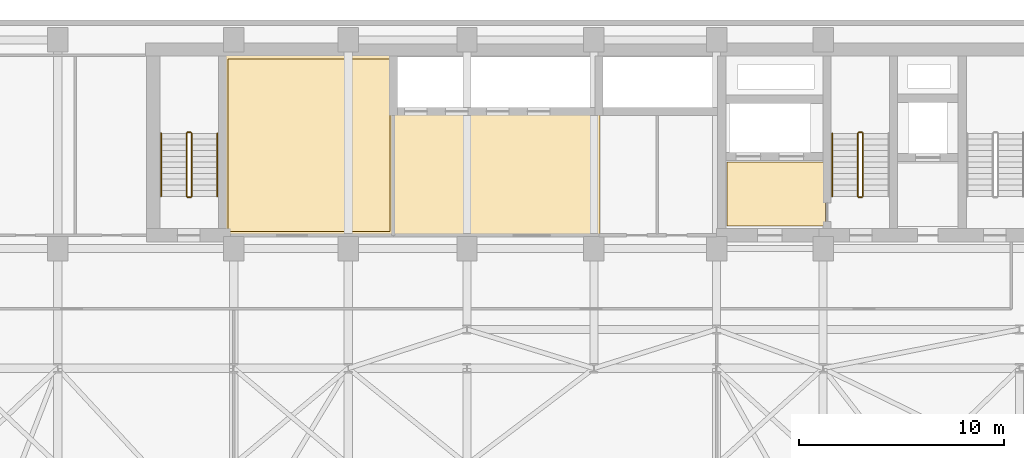
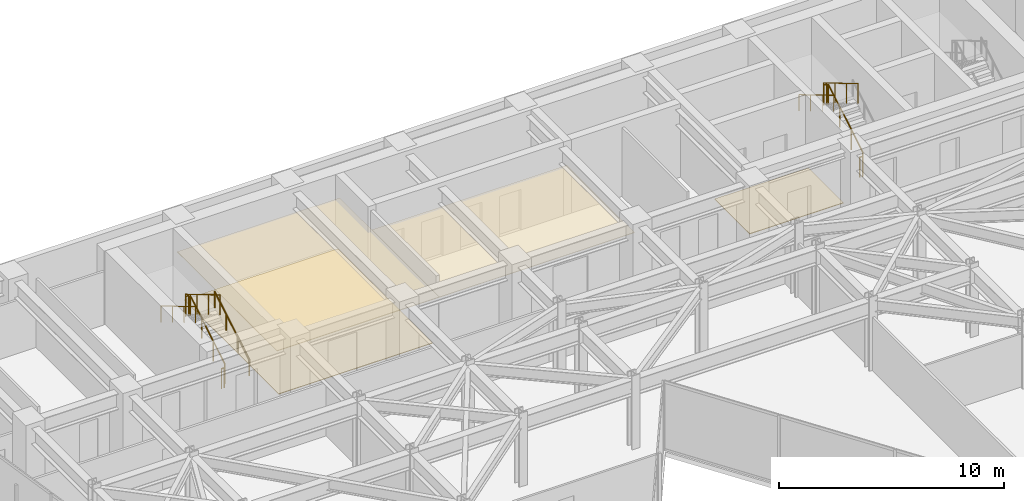
# One storey, part 25 of 26: 11 railings, 4 coverings.
"""IFC4 building model written with IfcOpenShell, lengths in metres."""

from ifc_helpers import new_model, si_unit, direction, frame, origin, origin_2d, place, context, subcontext, project, spatial, polyline, circle, outline, extrude, material, layer, layer_set, type_object, element, save


model = new_model("IFC4")

# Units and contexts
model_context = context("Model", 3, precision=1e-05, world=origin(), true_north=direction((0.0, 1.0)))
body_context = subcontext(model_context, "Body", "Model", "MODEL_VIEW")
ifc_project = project(units=[si_unit("LENGTHUNIT", "METRE"), si_unit("AREAUNIT", "SQUARE_METRE"), si_unit("VOLUMEUNIT", "CUBIC_METRE"), si_unit("PLANEANGLEUNIT", "RADIAN"), si_unit("MASSUNIT", "GRAM", prefix="KILO")], contexts=[model_context])

# Site, building, storey
site_placement = place(None, origin())
site = spatial("IfcSite", under=ifc_project, at=site_placement, CompositionType="ELEMENT")
building_placement = place(site_placement, origin())
building = spatial("IfcBuilding", under=site, at=building_placement, Name="Kravanh Interchange Tower", CompositionType="ELEMENT")
storey_placement = place(building_placement, frame((0.0, 0.0, 148.0)))
storey = spatial("IfcBuildingStorey", under=building, at=storey_placement, Name="L35", CompositionType="ELEMENT", Elevation=148.0)

# Coverings
ifc_material_1 = material(Name="Cementitious Terrazzo Tile")
ifc_layer_1 = layer(ifc_material_1, 0.030029296875)
ifc_layer_set_1 = layer_set([ifc_layer_1], Name="Honed Terrazzo Lobby Flooring 30mm")
covering_type_1 = type_object("IfcCoveringType", Name="Honed Terrazzo Lobby Flooring 30mm", PredefinedType="FLOORING", material=ifc_layer_set_1)
covering_1_placement = place(storey_placement, origin())
element("IfcCovering", 1, at=covering_1_placement, inside=storey, type_object=covering_type_1, Name="L35 Firefighting Lobby Floor Finish", PredefinedType="FLOORING", context=body_context, shape_type="SweptSolid", body=[
    extrude(outline(polyline([(56.1201171875, 38.4599609375), (51.300048828125, 38.4599609375), (51.300048828125, 41.580078125), (56.1201171875, 41.580078125), (56.1201171875, 38.4599609375)])), origin(), (0.0, 0.0, 1.0), 0.030029296875),
])
covering_2_placement = place(storey_placement, origin())
element("IfcCovering", 2, at=covering_2_placement, inside=storey, type_object=covering_type_1, Name="L35 Tenant Wellness and Prayer Suite Floor Finish", PredefinedType="FLOORING", context=body_context, shape_type="SweptSolid", body=[
    extrude(outline(polyline([(26.929931640625, 46.6201171875), (34.840087890625, 46.6201171875), (34.840087890625, 38.179931640625), (26.929931640625, 38.179931640625), (26.929931640625, 46.6201171875)])), origin(), (0.0, 0.0, 1.0), 0.030029296875),
])
ifc_material_2 = material(Name="Anodised Bronze Aluminium Acoustic Baffle", Category="aluminium")
ifc_layer_2 = layer(ifc_material_2, 0.034912109375)
ifc_layer_set_2 = layer_set([ifc_layer_2], Name="Linear Bronze Baffle Feature Ceiling 35mm")
covering_type_2 = type_object("IfcCoveringType", Name="Linear Bronze Baffle Feature Ceiling 35mm", PredefinedType="CEILING", material=ifc_layer_set_2)
covering_3_placement = place(storey_placement, frame((0.0, 0.0, 2.550048828125)))
element("IfcCovering", 3, at=covering_3_placement, inside=storey, type_object=covering_type_2, Name="L35 Tenant Wellness and Prayer Suite Suspended Ceiling", PredefinedType="CEILING", context=body_context, shape_type="SweptSolid", body=[
    extrude(outline(polyline([(35.06005859375, 37.9599609375), (26.7099609375, 37.9599609375), (26.7099609375, 46.840087890625), (35.06005859375, 46.840087890625), (35.06005859375, 37.9599609375)])), origin(), (0.0, 0.0, 1.0), 0.034912109375),
])
ifc_material_3 = material(Name="Acoustic Mineral Fibre Tile on Aluminium Grid", Category="aluminium")
ifc_layer_3 = layer(ifc_material_3, 0.02490234375)
ifc_layer_set_3 = layer_set([ifc_layer_3], Name="Perforated Acoustic Mineral Ceiling 25mm")
covering_type_3 = type_object("IfcCoveringType", Name="Perforated Acoustic Mineral Ceiling 25mm", PredefinedType="CEILING", material=ifc_layer_set_3)
covering_4_placement = place(storey_placement, frame((0.0, 0.0, 2.550048828125)))
element("IfcCovering", 4, at=covering_4_placement, inside=storey, type_object=covering_type_3, Name="L35 Mid-Rise Lift Lobby Suspended Ceiling", PredefinedType="CEILING", context=body_context, shape_type="SweptSolid", body=[
    extrude(outline(polyline([(45.090087890625, 37.9599609375), (34.93994140625, 37.9599609375), (34.93994140625, 43.989990234375), (45.090087890625, 43.989990234375), (45.090087890625, 37.9599609375)])), origin(), (0.0, 0.0, 1.0), 0.02490234375),
])

# Railings
ifc_material_4 = material(Name="Structural Steel S355", Category="steel")
ifc_layer_4 = layer(ifc_material_4, 0.050048828125)
ifc_layer_set_4 = layer_set([ifc_layer_4], Name="Stair Well Guardrail Structural Steel S355 1100mm")
railing_type_1 = type_object("IfcRailingType", Name="Stair Well Guardrail Structural Steel S355 1100mm", PredefinedType="GUARDRAIL", material=ifc_layer_set_4)
railing_1_placement = place(storey_placement, frame((57.949951171875, 39.89990234375, 0.166748046875)))
element("IfcRailing", 5, at=railing_1_placement, inside=storey, type_object=railing_type_1, Name="L35 ST2 stair guard 1", PredefinedType="GUARDRAIL", context=body_context, shape_type="SweptSolid", body=[
    extrude(circle(Radius=0.02392578125, at=origin_2d()), frame((0.0, 0.0, 1.076171875), z_axis=(0.0, 0.859308565015, 0.511457515432), x_axis=(-1.0, 0.0, 0.0)), (0.0, 0.0, 1.0), 3.58447265625),
    extrude(circle(Radius=0.02099609375, at=origin_2d()), origin(), (0.0, 0.0, 1.0), 1.052001953125),
    extrude(circle(Radius=0.02099609375, at=origin_2d()), frame((0.0, 1.026611328125, 0.611083984375)), (0.0, 0.0, 1.0), 1.052001953125),
    extrude(circle(Radius=0.02099609375, at=origin_2d()), frame((0.0, 2.053466796875, 1.22216796875)), (0.0, 0.0, 1.0), 1.052001953125),
    extrude(circle(Radius=0.02099609375, at=origin_2d()), frame((0.0, 3.080078125, 1.833251953125)), (0.0, 0.0, 1.0), 1.052001953125),
])
railing_2_placement = place(storey_placement, frame((57.89990234375, 43.030029296875, 2.0)))
element("IfcRailing", 6, at=railing_2_placement, inside=storey, type_object=railing_type_1, Name="L35 ST2 stair guard 2", PredefinedType="GUARDRAIL", context=body_context, shape_type="SweptSolid", body=[
    extrude(circle(Radius=0.02392578125, at=origin_2d()), frame((0.0, 0.0, 1.076171875), z_axis=(-1.0, 0.0, 0.0), x_axis=(0.0, -1.0, 0.0)), (0.0, 0.0, 1.0), 0.14990234375),
    extrude(circle(Radius=0.02099609375, at=origin_2d()), origin(), (0.0, 0.0, 1.0), 1.052001953125),
    extrude(circle(Radius=0.02099609375, at=origin_2d()), frame((-0.14990234375, 0.0, 0.0)), (0.0, 0.0, 1.0), 1.052001953125),
])
railing_3_placement = place(storey_placement, frame((57.699951171875, 42.97998046875, 2.166748046875)))
element("IfcRailing", 7, at=railing_3_placement, inside=storey, type_object=railing_type_1, Name="L35 ST2 stair guard 3", PredefinedType="GUARDRAIL", context=body_context, shape_type="SweptSolid", body=[
    extrude(circle(Radius=0.02392578125, at=origin_2d()), frame((0.0, 0.0, 1.076171875), z_axis=(0.0, -0.859308565015, 0.511457515432), x_axis=(1.0, 0.0, 0.0)), (0.0, 0.0, 1.0), 3.58447265625),
    extrude(circle(Radius=0.02099609375, at=origin_2d()), origin(), (0.0, 0.0, 1.0), 1.052001953125),
    extrude(circle(Radius=0.02099609375, at=origin_2d()), frame((0.0, -1.026611328125, 0.611083984375)), (0.0, 0.0, 1.0), 1.052001953125),
    extrude(circle(Radius=0.02099609375, at=origin_2d()), frame((0.0, -2.053466796875, 1.22216796875)), (0.0, 0.0, 1.0), 1.052001953125),
    extrude(circle(Radius=0.02099609375, at=origin_2d()), frame((0.0, -3.080078125, 1.833251953125)), (0.0, 0.0, 1.0), 1.052001953125),
])
railing_4_placement = place(storey_placement, frame((57.89990234375, 39.85009765625, 0.0)))
element("IfcRailing", 8, at=railing_4_placement, inside=storey, type_object=railing_type_1, Name="L35 ST2 stair guard 4", PredefinedType="GUARDRAIL", context=body_context, shape_type="SweptSolid", body=[
    extrude(circle(Radius=0.02392578125, at=origin_2d()), frame((0.0, 0.0, 1.076171875), z_axis=(-1.0, 0.0, 0.0), x_axis=(0.0, -1.0, 0.0)), (0.0, 0.0, 1.0), 0.14990234375),
    extrude(circle(Radius=0.02099609375, at=origin_2d()), origin(), (0.0, 0.0, 1.0), 1.052001953125),
    extrude(circle(Radius=0.02099609375, at=origin_2d()), frame((-0.14990234375, 0.0, 0.0)), (0.0, 0.0, 1.0), 1.052001953125),
])
railing_5_placement = place(storey_placement, frame((25.14990234375, 39.89990234375, 0.166748046875)))
element("IfcRailing", 9, at=railing_5_placement, inside=storey, type_object=railing_type_1, Name="L35 ST3 stair guard 1", PredefinedType="GUARDRAIL", context=body_context, shape_type="SweptSolid", body=[
    extrude(circle(Radius=0.02392578125, at=origin_2d()), frame((0.0, 0.0, 1.076171875), z_axis=(0.0, 0.859308565015, 0.511457515432), x_axis=(-1.0, 0.0, 0.0)), (0.0, 0.0, 1.0), 3.58447265625),
    extrude(circle(Radius=0.02099609375, at=origin_2d()), origin(), (0.0, 0.0, 1.0), 1.052001953125),
    extrude(circle(Radius=0.02099609375, at=origin_2d()), frame((0.0, 1.026611328125, 0.611083984375)), (0.0, 0.0, 1.0), 1.052001953125),
    extrude(circle(Radius=0.02099609375, at=origin_2d()), frame((0.0, 2.053466796875, 1.22216796875)), (0.0, 0.0, 1.0), 1.052001953125),
    extrude(circle(Radius=0.02099609375, at=origin_2d()), frame((0.0, 3.080078125, 1.833251953125)), (0.0, 0.0, 1.0), 1.052001953125),
])
railing_6_placement = place(storey_placement, frame((25.10009765625, 43.030029296875, 2.0)))
element("IfcRailing", 10, at=railing_6_placement, inside=storey, type_object=railing_type_1, Name="L35 ST3 stair guard 2", PredefinedType="GUARDRAIL", context=body_context, shape_type="SweptSolid", body=[
    extrude(circle(Radius=0.02392578125, at=origin_2d()), frame((0.0, 0.0, 1.076171875), z_axis=(-1.0, 0.0, 0.0), x_axis=(0.0, -1.0, 0.0)), (0.0, 0.0, 1.0), 0.150146484375),
    extrude(circle(Radius=0.02099609375, at=origin_2d()), origin(), (0.0, 0.0, 1.0), 1.052001953125),
    extrude(circle(Radius=0.02099609375, at=origin_2d()), frame((-0.150146484375, 0.0, 0.0)), (0.0, 0.0, 1.0), 1.052001953125),
])
railing_7_placement = place(storey_placement, frame((24.89990234375, 42.97998046875, 2.166748046875)))
element("IfcRailing", 11, at=railing_7_placement, inside=storey, type_object=railing_type_1, Name="L35 ST3 stair guard 3", PredefinedType="GUARDRAIL", context=body_context, shape_type="SweptSolid", body=[
    extrude(circle(Radius=0.02392578125, at=origin_2d()), frame((0.0, 0.0, 1.076171875), z_axis=(0.0, -0.859308565015, 0.511457515432), x_axis=(1.0, 0.0, 0.0)), (0.0, 0.0, 1.0), 3.58447265625),
    extrude(circle(Radius=0.02099609375, at=origin_2d()), origin(), (0.0, 0.0, 1.0), 1.052001953125),
    extrude(circle(Radius=0.02099609375, at=origin_2d()), frame((0.0, -1.026611328125, 0.611083984375)), (0.0, 0.0, 1.0), 1.052001953125),
    extrude(circle(Radius=0.02099609375, at=origin_2d()), frame((0.0, -2.053466796875, 1.22216796875)), (0.0, 0.0, 1.0), 1.052001953125),
    extrude(circle(Radius=0.02099609375, at=origin_2d()), frame((0.0, -3.080078125, 1.833251953125)), (0.0, 0.0, 1.0), 1.052001953125),
])
railing_8_placement = place(storey_placement, frame((25.10009765625, 39.85009765625, 0.0)))
element("IfcRailing", 12, at=railing_8_placement, inside=storey, type_object=railing_type_1, Name="L35 ST3 stair guard 4", PredefinedType="GUARDRAIL", context=body_context, shape_type="SweptSolid", body=[
    extrude(circle(Radius=0.02392578125, at=origin_2d()), frame((0.0, 0.0, 1.076171875), z_axis=(-1.0, 0.0, 0.0), x_axis=(0.0, -1.0, 0.0)), (0.0, 0.0, 1.0), 0.150146484375),
    extrude(circle(Radius=0.02099609375, at=origin_2d()), origin(), (0.0, 0.0, 1.0), 1.052001953125),
    extrude(circle(Radius=0.02099609375, at=origin_2d()), frame((-0.150146484375, 0.0, 0.0)), (0.0, 0.0, 1.0), 1.052001953125),
])
ifc_material_5 = material(Name="Stainless Steel 304", Category="steel")
ifc_layer_5 = layer(ifc_material_5, 0.044921875)
ifc_layer_set_5 = layer_set([ifc_layer_5], Name="Tubular Stair Handrail Stainless 304 900mm")
railing_type_2 = type_object("IfcRailingType", Name="Tubular Stair Handrail Stainless 304 900mm", PredefinedType="HANDRAIL", material=ifc_layer_set_5)
railing_9_placement = place(storey_placement, frame((56.449951171875, 42.97998046875, 2.166748046875)))
element("IfcRailing", 13, at=railing_9_placement, inside=storey, type_object=railing_type_2, Name="L35 ST2 stair handrail 2", PredefinedType="HANDRAIL", context=body_context, shape_type="SweptSolid", body=[
    extrude(circle(Radius=0.02392578125, at=origin_2d()), frame((0.0, 0.0, 0.8759765625), z_axis=(0.0, -0.859308565015, 0.511457515432), x_axis=(1.0, 0.0, 0.0)), (0.0, 0.0, 1.0), 3.58447265625),
    extrude(circle(Radius=0.02099609375, at=origin_2d()), origin(), (0.0, 0.0, 1.0), 0.851806640625),
    extrude(circle(Radius=0.02099609375, at=origin_2d()), frame((0.0, -1.026611328125, 0.611083984375)), (0.0, 0.0, 1.0), 0.851806640625),
    extrude(circle(Radius=0.02099609375, at=origin_2d()), frame((0.0, -2.053466796875, 1.22216796875)), (0.0, 0.0, 1.0), 0.851806640625),
    extrude(circle(Radius=0.02099609375, at=origin_2d()), frame((0.0, -3.080078125, 1.833251953125)), (0.0, 0.0, 1.0), 0.851806640625),
])
railing_10_placement = place(storey_placement, frame((26.39990234375, 39.89990234375, 0.166748046875)))
element("IfcRailing", 14, at=railing_10_placement, inside=storey, type_object=railing_type_2, Name="L35 ST3 stair handrail 1", PredefinedType="HANDRAIL", context=body_context, shape_type="SweptSolid", body=[
    extrude(circle(Radius=0.02392578125, at=origin_2d()), frame((0.0, 0.0, 0.8759765625), z_axis=(0.0, 0.859308565015, 0.511457515432), x_axis=(-1.0, 0.0, 0.0)), (0.0, 0.0, 1.0), 3.58447265625),
    extrude(circle(Radius=0.02099609375, at=origin_2d()), origin(), (0.0, 0.0, 1.0), 0.851806640625),
    extrude(circle(Radius=0.02099609375, at=origin_2d()), frame((0.0, 1.026611328125, 0.611083984375)), (0.0, 0.0, 1.0), 0.851806640625),
    extrude(circle(Radius=0.02099609375, at=origin_2d()), frame((0.0, 2.053466796875, 1.22216796875)), (0.0, 0.0, 1.0), 0.851806640625),
    extrude(circle(Radius=0.02099609375, at=origin_2d()), frame((0.0, 3.080078125, 1.833251953125)), (0.0, 0.0, 1.0), 0.851806640625),
])
railing_11_placement = place(storey_placement, frame((23.64990234375, 42.97998046875, 2.166748046875)))
element("IfcRailing", 15, at=railing_11_placement, inside=storey, type_object=railing_type_2, Name="L35 ST3 stair handrail 2", PredefinedType="HANDRAIL", context=body_context, shape_type="SweptSolid", body=[
    extrude(circle(Radius=0.02392578125, at=origin_2d()), frame((0.0, 0.0, 0.8759765625), z_axis=(0.0, -0.859308565015, 0.511457515432), x_axis=(1.0, 0.0, 0.0)), (0.0, 0.0, 1.0), 3.58447265625),
    extrude(circle(Radius=0.02099609375, at=origin_2d()), origin(), (0.0, 0.0, 1.0), 0.851806640625),
    extrude(circle(Radius=0.02099609375, at=origin_2d()), frame((0.0, -1.026611328125, 0.611083984375)), (0.0, 0.0, 1.0), 0.851806640625),
    extrude(circle(Radius=0.02099609375, at=origin_2d()), frame((0.0, -2.053466796875, 1.22216796875)), (0.0, 0.0, 1.0), 0.851806640625),
    extrude(circle(Radius=0.02099609375, at=origin_2d()), frame((0.0, -3.080078125, 1.833251953125)), (0.0, 0.0, 1.0), 0.851806640625),
])

save(model, "model.ifc")
